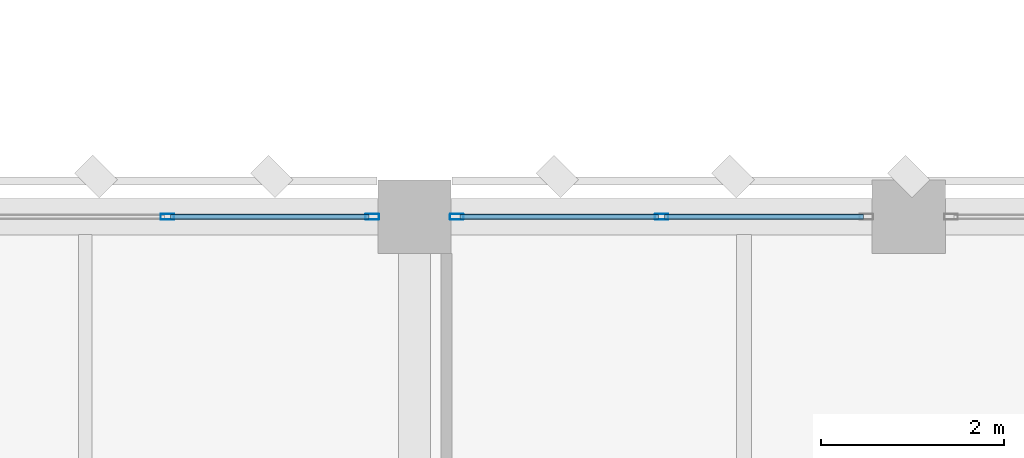
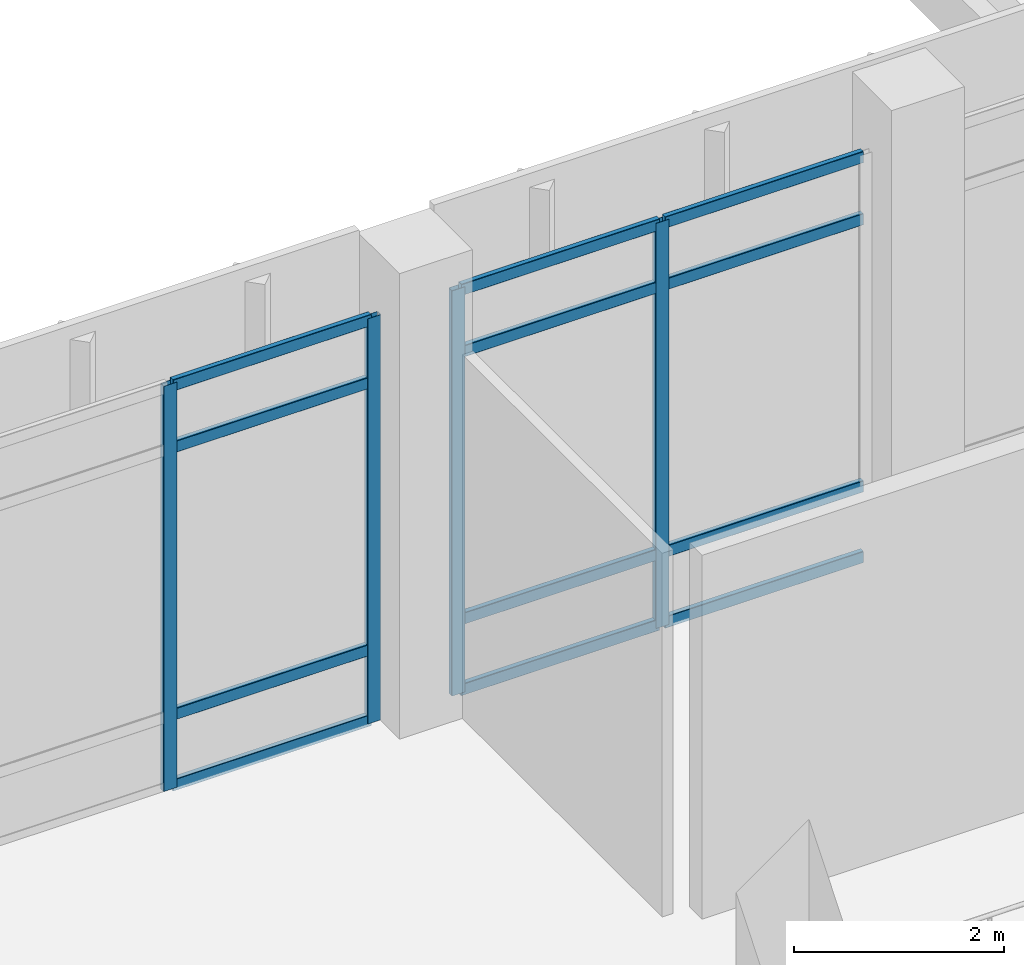
# One storey, part 48 of 180: 16 members, 2 elements without a shape of their own.
"""IFC4 building model written with IfcOpenShell, lengths in metres."""

from ifc_helpers import new_model, si_unit, direction, frame, origin, origin_2d, place, context, subcontext, project, spatial, hollow_rectangle, extrude, material, material_profile, profile_set, type_object, element, aggregate, save


model = new_model("IFC4")

# Units and contexts
model_context = context("Model", 3, precision=1e-05, world=origin(), true_north=direction((0.0, 1.0)))
body_context = subcontext(model_context, "Body", "Model", "MODEL_VIEW")
ifc_project = project(units=[si_unit("LENGTHUNIT", "METRE"), si_unit("AREAUNIT", "SQUARE_METRE"), si_unit("VOLUMEUNIT", "CUBIC_METRE"), si_unit("PLANEANGLEUNIT", "RADIAN"), si_unit("MASSUNIT", "GRAM", prefix="KILO")], contexts=[model_context])

# Site, building, storey
site_placement = place(None, origin())
site = spatial("IfcSite", under=ifc_project, at=site_placement, CompositionType="ELEMENT")
building_placement = place(site_placement, origin())
building = spatial("IfcBuilding", under=site, at=building_placement, Name="Lusvemor Sports Hall", CompositionType="ELEMENT")
storey_placement = place(building_placement, frame((0.0, 0.0, 5.39990234375)))
storey = spatial("IfcBuildingStorey", under=building, at=storey_placement, Name="L01", CompositionType="ELEMENT", Elevation=5.39990234375)

# Curtain wall, members
ifc_material_1 = material(Name="Thermally broken bronze-anodized aluminium", Category="aluminium")
curtain_wall_type = type_object("IfcCurtainWallType", Name="CW_COURT_C", PredefinedType="NOTDEFINED", material=ifc_material_1)
curtain_wall_1_placement = place(storey_placement, origin())
curtain_wall_1 = element("IfcCurtainWall", 1, at=curtain_wall_1_placement, inside=storey, type_object=curtain_wall_type, Name="Curtain Wall CW-V1N-L01-5-B", PredefinedType="NOTDEFINED")
ifc_material_2 = material(Name="Thermally broken bronze-anodized aluminium", Category="aluminium")
ifc_material_profile_1 = material_profile(ifc_material_2, hollow_rectangle(XDim=0.06494140625, YDim=0.14990234375, WallThickness=0.00390625, InnerFilletRadius=0.00390625, OuterFilletRadius=0.008056640625, at=origin_2d()), Name="CWMUL150x65x4")
ifc_profile_set_1 = profile_set([ifc_material_profile_1], Name="Thermally broken bronze-anodized aluminium")
member_type_1 = type_object("IfcMemberType", Name="CW_MUL_B", PredefinedType="MULLION", material=ifc_profile_set_1)
member_1_placement = place(storey_placement, frame((62.10009765625, 46.800048828125, 0.0), z_axis=(0.0, 0.0, 1.0), x_axis=(0.0, 1.0, 0.0)))
member_1 = element("IfcMember", 2, at=member_1_placement, type_object=member_type_1, Name="CW03 mullion 2", PredefinedType="MULLION", context=body_context, shape_type="SweptSolid", body=[
    extrude(hollow_rectangle(XDim=0.06494140625, YDim=0.14990234375, WallThickness=0.00390625, InnerFilletRadius=0.00390625, OuterFilletRadius=0.008056640625, at=origin_2d()), origin(), (0.0, 0.0, 1.0), 4.7001953125),
])
member_2_placement = place(storey_placement, frame((64.33740234375, 46.800048828125, 0.0), z_axis=(0.0, 0.0, 1.0), x_axis=(0.0, 1.0, 0.0)))
member_2 = element("IfcMember", 3, at=member_2_placement, type_object=member_type_1, Name="CW03 mullion 3", PredefinedType="MULLION", context=body_context, shape_type="SweptSolid", body=[
    extrude(hollow_rectangle(XDim=0.06494140625, YDim=0.14990234375, WallThickness=0.00390625, InnerFilletRadius=0.00390625, OuterFilletRadius=0.008056640625, at=origin_2d()), origin(), (0.0, 0.0, 1.0), 4.7001953125),
])

curtain_wall_2_placement = place(storey_placement, origin())
curtain_wall_2 = element("IfcCurtainWall", 4, at=curtain_wall_2_placement, inside=storey, type_object=curtain_wall_type, Name="Curtain Wall CW-V1N-L01-6-A", PredefinedType="NOTDEFINED")
member_3_placement = place(storey_placement, frame((65.262451171875, 46.800048828125, 0.0), z_axis=(0.0, 0.0, 1.0), x_axis=(0.0, 1.0, 0.0)))
member_3 = element("IfcMember", 5, at=member_3_placement, type_object=member_type_1, Name="CW03 mullion 1", PredefinedType="MULLION", context=body_context, shape_type="SweptSolid", body=[
    extrude(hollow_rectangle(XDim=0.06494140625, YDim=0.14990234375, WallThickness=0.00390625, InnerFilletRadius=0.00390625, OuterFilletRadius=0.008056640625, at=origin_2d()), origin(), (0.0, 0.0, 1.0), 4.7001953125),
])
member_4_placement = place(storey_placement, frame((67.5, 46.800048828125, 0.0), z_axis=(0.0, 0.0, 1.0), x_axis=(0.0, 1.0, 0.0)))
member_4 = element("IfcMember", 6, at=member_4_placement, type_object=member_type_1, Name="CW03 mullion 2", PredefinedType="MULLION", context=body_context, shape_type="SweptSolid", body=[
    extrude(hollow_rectangle(XDim=0.06494140625, YDim=0.14990234375, WallThickness=0.00390625, InnerFilletRadius=0.00390625, OuterFilletRadius=0.008056640625, at=origin_2d()), origin(), (0.0, 0.0, 1.0), 4.7001953125),
])

# Member
ifc_material_3 = material(Name="Thermally broken bronze-anodized aluminium", Category="aluminium")
ifc_material_profile_2 = material_profile(ifc_material_3, hollow_rectangle(XDim=0.06005859375, YDim=0.135009765625, WallThickness=0.00390625, InnerFilletRadius=0.00390625, OuterFilletRadius=0.008056640625, at=origin_2d()), Name="CWTRN135x60x4")
ifc_profile_set_2 = profile_set([ifc_material_profile_2], Name="Thermally broken bronze-anodized aluminium")
member_type_2 = type_object("IfcMemberType", Name="CW_TRN_B", PredefinedType="USERDEFINED", material=ifc_profile_set_2)
member_5_placement = place(storey_placement, frame((62.132568359375, 46.800048828125, 0.030029296875), z_axis=(1.0, 0.0, 0.0), x_axis=(0.0, 1.0, 0.0)))
member_5 = element("IfcMember", 7, at=member_5_placement, type_object=member_type_2, Name="CW03 transom 2.1", ObjectType="TRANSOM", PredefinedType="USERDEFINED", context=body_context, shape_type="SweptSolid", body=[
    extrude(hollow_rectangle(XDim=0.06005859375, YDim=0.135009765625, WallThickness=0.00390625, InnerFilletRadius=0.00390625, OuterFilletRadius=0.008056640625, at=origin_2d()), origin(), (0.0, 0.0, 1.0), 2.17236328125),
])

member_6_placement = place(storey_placement, frame((62.132568359375, 46.800048828125, 0.85009765625), z_axis=(1.0, 0.0, 0.0), x_axis=(0.0, 1.0, 0.0)))
member_6 = element("IfcMember", 8, at=member_6_placement, type_object=member_type_2, Name="CW03 transom 2.2", ObjectType="TRANSOM", PredefinedType="USERDEFINED", context=body_context, shape_type="SweptSolid", body=[
    extrude(hollow_rectangle(XDim=0.06005859375, YDim=0.135009765625, WallThickness=0.00390625, InnerFilletRadius=0.00390625, OuterFilletRadius=0.008056640625, at=origin_2d()), origin(), (0.0, 0.0, 1.0), 2.17236328125),
])

member_7_placement = place(storey_placement, frame((62.132568359375, 46.800048828125, 3.9501953125), z_axis=(1.0, 0.0, 0.0), x_axis=(0.0, 1.0, 0.0)))
member_7 = element("IfcMember", 9, at=member_7_placement, type_object=member_type_2, Name="CW03 transom 2.3", ObjectType="TRANSOM", PredefinedType="USERDEFINED", context=body_context, shape_type="SweptSolid", body=[
    extrude(hollow_rectangle(XDim=0.06005859375, YDim=0.135009765625, WallThickness=0.00390625, InnerFilletRadius=0.00390625, OuterFilletRadius=0.008056640625, at=origin_2d()), origin(), (0.0, 0.0, 1.0), 2.17236328125),
])

member_8_placement = place(storey_placement, frame((62.132568359375, 46.800048828125, 4.670166015625), z_axis=(1.0, 0.0, 0.0), x_axis=(0.0, 1.0, 0.0)))
member_8 = element("IfcMember", 10, at=member_8_placement, type_object=member_type_2, Name="CW03 transom 2.4", ObjectType="TRANSOM", PredefinedType="USERDEFINED", context=body_context, shape_type="SweptSolid", body=[
    extrude(hollow_rectangle(XDim=0.06005859375, YDim=0.135009765625, WallThickness=0.00390625, InnerFilletRadius=0.00390625, OuterFilletRadius=0.008056640625, at=origin_2d()), origin(), (0.0, 0.0, 1.0), 2.17236328125),
])

aggregate(curtain_wall_1, [member_1, member_2, member_5, member_6, member_7, member_8])

member_9_placement = place(storey_placement, frame((65.294921875, 46.800048828125, 0.030029296875), z_axis=(1.0, 0.0, 0.0), x_axis=(0.0, 1.0, 0.0)))
member_9 = element("IfcMember", 11, at=member_9_placement, type_object=member_type_2, Name="CW03 transom 1.1", ObjectType="TRANSOM", PredefinedType="USERDEFINED", context=body_context, shape_type="SweptSolid", body=[
    extrude(hollow_rectangle(XDim=0.06005859375, YDim=0.135009765625, WallThickness=0.00390625, InnerFilletRadius=0.00390625, OuterFilletRadius=0.008056640625, at=origin_2d()), origin(), (0.0, 0.0, 1.0), 2.172607421875),
])

member_10_placement = place(storey_placement, frame((65.294921875, 46.800048828125, 0.85009765625), z_axis=(1.0, 0.0, 0.0), x_axis=(0.0, 1.0, 0.0)))
member_10 = element("IfcMember", 12, at=member_10_placement, type_object=member_type_2, Name="CW03 transom 1.2", ObjectType="TRANSOM", PredefinedType="USERDEFINED", context=body_context, shape_type="SweptSolid", body=[
    extrude(hollow_rectangle(XDim=0.06005859375, YDim=0.135009765625, WallThickness=0.00390625, InnerFilletRadius=0.00390625, OuterFilletRadius=0.008056640625, at=origin_2d()), origin(), (0.0, 0.0, 1.0), 2.172607421875),
])

member_11_placement = place(storey_placement, frame((65.294921875, 46.800048828125, 3.9501953125), z_axis=(1.0, 0.0, 0.0), x_axis=(0.0, 1.0, 0.0)))
member_11 = element("IfcMember", 13, at=member_11_placement, type_object=member_type_2, Name="CW03 transom 1.3", ObjectType="TRANSOM", PredefinedType="USERDEFINED", context=body_context, shape_type="SweptSolid", body=[
    extrude(hollow_rectangle(XDim=0.06005859375, YDim=0.135009765625, WallThickness=0.00390625, InnerFilletRadius=0.00390625, OuterFilletRadius=0.008056640625, at=origin_2d()), origin(), (0.0, 0.0, 1.0), 2.172607421875),
])

member_12_placement = place(storey_placement, frame((65.294921875, 46.800048828125, 4.670166015625), z_axis=(1.0, 0.0, 0.0), x_axis=(0.0, 1.0, 0.0)))
member_12 = element("IfcMember", 14, at=member_12_placement, type_object=member_type_2, Name="CW03 transom 1.4", ObjectType="TRANSOM", PredefinedType="USERDEFINED", context=body_context, shape_type="SweptSolid", body=[
    extrude(hollow_rectangle(XDim=0.06005859375, YDim=0.135009765625, WallThickness=0.00390625, InnerFilletRadius=0.00390625, OuterFilletRadius=0.008056640625, at=origin_2d()), origin(), (0.0, 0.0, 1.0), 2.172607421875),
])

member_13_placement = place(storey_placement, frame((67.532470703125, 46.800048828125, 0.030029296875), z_axis=(1.0, 0.0, 0.0), x_axis=(0.0, 1.0, 0.0)))
member_13 = element("IfcMember", 15, at=member_13_placement, type_object=member_type_2, Name="CW03 transom 2.1", ObjectType="TRANSOM", PredefinedType="USERDEFINED", context=body_context, shape_type="SweptSolid", body=[
    extrude(hollow_rectangle(XDim=0.06005859375, YDim=0.135009765625, WallThickness=0.00390625, InnerFilletRadius=0.00390625, OuterFilletRadius=0.008056640625, at=origin_2d()), origin(), (0.0, 0.0, 1.0), 2.172607421875),
])

member_14_placement = place(storey_placement, frame((67.532470703125, 46.800048828125, 0.85009765625), z_axis=(1.0, 0.0, 0.0), x_axis=(0.0, 1.0, 0.0)))
member_14 = element("IfcMember", 16, at=member_14_placement, type_object=member_type_2, Name="CW03 transom 2.2", ObjectType="TRANSOM", PredefinedType="USERDEFINED", context=body_context, shape_type="SweptSolid", body=[
    extrude(hollow_rectangle(XDim=0.06005859375, YDim=0.135009765625, WallThickness=0.00390625, InnerFilletRadius=0.00390625, OuterFilletRadius=0.008056640625, at=origin_2d()), origin(), (0.0, 0.0, 1.0), 2.172607421875),
])

member_15_placement = place(storey_placement, frame((67.532470703125, 46.800048828125, 3.9501953125), z_axis=(1.0, 0.0, 0.0), x_axis=(0.0, 1.0, 0.0)))
member_15 = element("IfcMember", 17, at=member_15_placement, type_object=member_type_2, Name="CW03 transom 2.3", ObjectType="TRANSOM", PredefinedType="USERDEFINED", context=body_context, shape_type="SweptSolid", body=[
    extrude(hollow_rectangle(XDim=0.06005859375, YDim=0.135009765625, WallThickness=0.00390625, InnerFilletRadius=0.00390625, OuterFilletRadius=0.008056640625, at=origin_2d()), origin(), (0.0, 0.0, 1.0), 2.172607421875),
])

member_16_placement = place(storey_placement, frame((67.532470703125, 46.800048828125, 4.670166015625), z_axis=(1.0, 0.0, 0.0), x_axis=(0.0, 1.0, 0.0)))
member_16 = element("IfcMember", 18, at=member_16_placement, type_object=member_type_2, Name="CW03 transom 2.4", ObjectType="TRANSOM", PredefinedType="USERDEFINED", context=body_context, shape_type="SweptSolid", body=[
    extrude(hollow_rectangle(XDim=0.06005859375, YDim=0.135009765625, WallThickness=0.00390625, InnerFilletRadius=0.00390625, OuterFilletRadius=0.008056640625, at=origin_2d()), origin(), (0.0, 0.0, 1.0), 2.172607421875),
])

aggregate(curtain_wall_2, [member_3, member_4, member_9, member_10, member_11, member_12, member_13, member_14, member_15, member_16])

save(model, "model.ifc")
